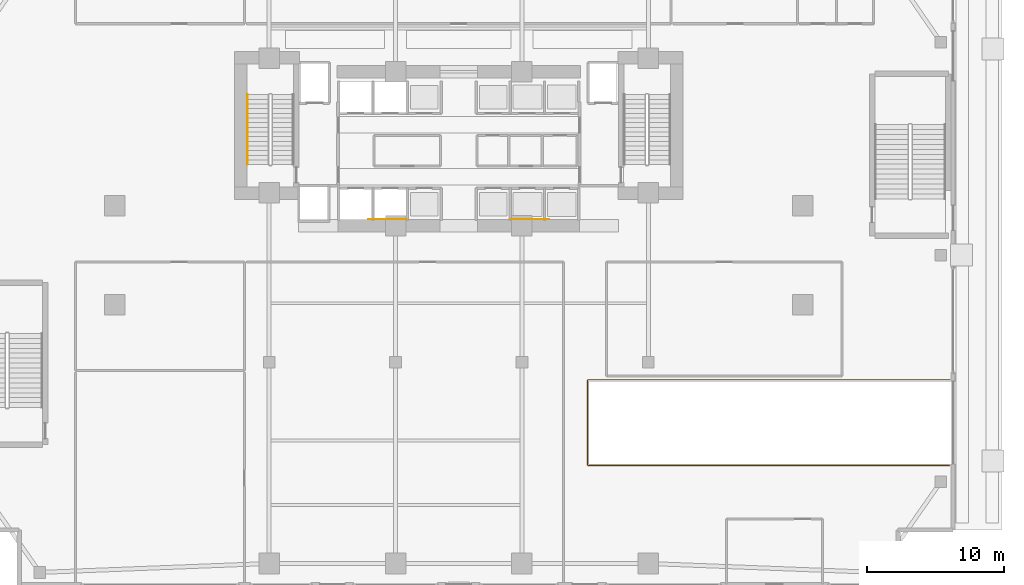
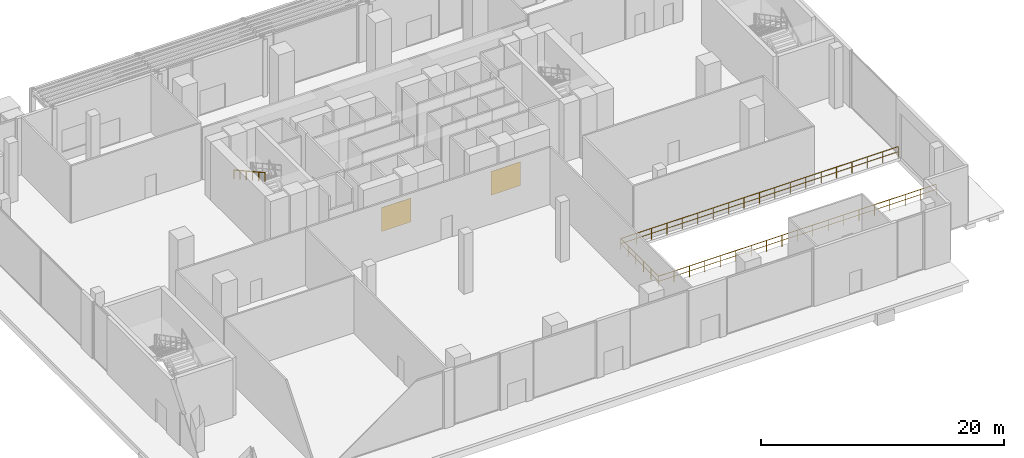
# One storey, part 34 of 39: 2 coverings, 2 railings.
"""IFC4 building model written with IfcOpenShell, lengths in metres."""

from ifc_helpers import new_model, si_unit, direction, frame, origin, origin_2d, place, context, subcontext, project, spatial, rectangle, extrude, material, layer, layer_set, type_object, element, save


model = new_model("IFC4")

# Units and contexts
model_context = context("Model", 3, precision=1e-05, world=origin(), true_north=direction((0.0, 1.0)))
body_context = subcontext(model_context, "Body", "Model", "MODEL_VIEW")
ifc_project = project(units=[si_unit("LENGTHUNIT", "METRE"), si_unit("AREAUNIT", "SQUARE_METRE"), si_unit("VOLUMEUNIT", "CUBIC_METRE"), si_unit("PLANEANGLEUNIT", "RADIAN"), si_unit("MASSUNIT", "GRAM", prefix="KILO")], contexts=[model_context])

# Site, building, storey
site_placement = place(None, origin())
site = spatial("IfcSite", under=ifc_project, at=site_placement, CompositionType="ELEMENT")
building_placement = place(site_placement, origin())
building = spatial("IfcBuilding", under=site, at=building_placement, Name="Zuhayl Quay Hotel", CompositionType="ELEMENT")
storey_placement = place(building_placement, origin())
storey = spatial("IfcBuildingStorey", under=building, at=storey_placement, Name="L00", CompositionType="ELEMENT", Elevation=0.0)

# Coverings
ifc_material_1 = material(Name="Acoustic Walnut Feature Timber", Category="wood")
ifc_layer = layer(ifc_material_1, 0.02197265625, Name="Acoustic Walnut Feature Timber", Category="wood")
ifc_layer_set = layer_set([ifc_layer], Name="Acoustic Walnut Feature Timber")
covering_type = type_object("IfcCoveringType", Name="CV_WALL_CLAD", PredefinedType="CLADDING", material=ifc_layer_set)
for number, where, z_axis, x_axis, name in (
    (1, (-5.199951171875, 2.611083984375, 0.300048828125), (0.0, 0.0, 1.0), (1.0, 0.0, 0.0), "L00 Feature Lobby Walnut Wall Cladding W"),
    (2, (5.199951171875, 2.611083984375, 0.300048828125), (0.0, 0.0, 1.0), (1.0, 0.0, 0.0), "L00 Feature Lobby Walnut Wall Cladding E"),
):
    element("IfcCovering", number, at=place(storey_placement, frame(where, z_axis=z_axis, x_axis=x_axis)), inside=storey, type_object=covering_type, Name=name, PredefinedType="CLADDING", context=body_context, shape_type="SweptSolid", body=[
        extrude(rectangle(XDim=2.800048828125, YDim=0.02197265625, at=origin_2d()), origin(), (0.0, 0.0, 1.0), 2.39990234375),
    ])

# Railings
ifc_material_2 = material(Name="Steel ASTM A992 Grade 50", Category="steel")
railing_type_1 = type_object("IfcRailingType", Name="RL_GUARD_1100", PredefinedType="GUARDRAIL", material=ifc_material_2)
railing_1_placement = place(storey_placement, frame((35.75, -9.080078125, 0.0)))
element("IfcRailing", 3, at=railing_1_placement, inside=storey, type_object=railing_type_1, Name="L00 Vehicle Ramp Opening Safety Guard SG_RAMP_WELL_L00_ARR", PredefinedType="GUARDRAIL", context=body_context, shape_type="SweptSolid", body=[
    extrude(rectangle(XDim=0.048095703125, YDim=0.048095703125, at=origin_2d()), frame((0.0, 0.0, 1.09619140625), z_axis=(-1.0, 0.0, 0.0), x_axis=(0.0, -1.0, 0.0)), (0.0, 0.0, 1.0), 26.3701171875),
    extrude(rectangle(XDim=0.0361328125, YDim=0.0361328125, at=origin_2d()), frame((0.0, 0.0, 0.58251953125), z_axis=(-1.0, 0.0, 0.0), x_axis=(0.0, -1.0, 0.0)), (0.0, 0.0, 1.0), 26.3701171875),
    extrude(rectangle(XDim=0.048095703125, YDim=0.048095703125, at=origin_2d()), frame((-26.3701171875, 0.0, 1.09619140625), z_axis=(0.0, -1.0, 0.0), x_axis=(1.0, 0.0, 0.0)), (0.0, 0.0, 1.0), 6.239990234375),
    extrude(rectangle(XDim=0.0361328125, YDim=0.0361328125, at=origin_2d()), frame((-26.3701171875, 0.0, 0.58251953125), z_axis=(0.0, -1.0, 0.0), x_axis=(1.0, 0.0, 0.0)), (0.0, 0.0, 1.0), 6.239990234375),
    extrude(rectangle(XDim=0.048095703125, YDim=0.048095703125, at=origin_2d()), frame((-26.3701171875, -6.239990234375, 1.09619140625), z_axis=(1.0, 0.0, 0.0), x_axis=(0.0, 1.0, 0.0)), (0.0, 0.0, 1.0), 26.3701171875),
    extrude(rectangle(XDim=0.0361328125, YDim=0.0361328125, at=origin_2d()), frame((-26.3701171875, -6.239990234375, 0.58251953125), z_axis=(1.0, 0.0, 0.0), x_axis=(0.0, 1.0, 0.0)), (0.0, 0.0, 1.0), 26.3701171875),
    extrude(rectangle(XDim=0.0419921875, YDim=0.0419921875, at=origin_2d()), origin(), (0.0, 0.0, 1.0), 1.072021484375),
    extrude(rectangle(XDim=0.0419921875, YDim=0.0419921875, at=origin_2d()), frame((-1.465087890625, 0.0, 0.0)), (0.0, 0.0, 1.0), 1.072021484375),
    extrude(rectangle(XDim=0.0419921875, YDim=0.0419921875, at=origin_2d()), frame((-2.929931640625, 0.0, 0.0)), (0.0, 0.0, 1.0), 1.072021484375),
    extrude(rectangle(XDim=0.0419921875, YDim=0.0419921875, at=origin_2d()), frame((-4.39501953125, 0.0, 0.0)), (0.0, 0.0, 1.0), 1.072021484375),
    extrude(rectangle(XDim=0.0419921875, YDim=0.0419921875, at=origin_2d()), frame((-5.860107421875, 0.0, 0.0)), (0.0, 0.0, 1.0), 1.072021484375),
    extrude(rectangle(XDim=0.0419921875, YDim=0.0419921875, at=origin_2d()), frame((-7.324951171875, 0.0, 0.0)), (0.0, 0.0, 1.0), 1.072021484375),
    extrude(rectangle(XDim=0.0419921875, YDim=0.0419921875, at=origin_2d()), frame((-8.7900390625, 0.0, 0.0)), (0.0, 0.0, 1.0), 1.072021484375),
    extrude(rectangle(XDim=0.0419921875, YDim=0.0419921875, at=origin_2d()), frame((-10.255126953125, 0.0, 0.0)), (0.0, 0.0, 1.0), 1.072021484375),
    extrude(rectangle(XDim=0.0419921875, YDim=0.0419921875, at=origin_2d()), frame((-11.719970703125, 0.0, 0.0)), (0.0, 0.0, 1.0), 1.072021484375),
    extrude(rectangle(XDim=0.0419921875, YDim=0.0419921875, at=origin_2d()), frame((-13.18505859375, 0.0, 0.0)), (0.0, 0.0, 1.0), 1.072021484375),
    extrude(rectangle(XDim=0.0419921875, YDim=0.0419921875, at=origin_2d()), frame((-14.650146484375, 0.0, 0.0)), (0.0, 0.0, 1.0), 1.072021484375),
    extrude(rectangle(XDim=0.0419921875, YDim=0.0419921875, at=origin_2d()), frame((-16.114990234375, 0.0, 0.0)), (0.0, 0.0, 1.0), 1.072021484375),
    extrude(rectangle(XDim=0.0419921875, YDim=0.0419921875, at=origin_2d()), frame((-17.580078125, 0.0, 0.0)), (0.0, 0.0, 1.0), 1.072021484375),
    extrude(rectangle(XDim=0.0419921875, YDim=0.0419921875, at=origin_2d()), frame((-19.045166015625, 0.0, 0.0)), (0.0, 0.0, 1.0), 1.072021484375),
    extrude(rectangle(XDim=0.0419921875, YDim=0.0419921875, at=origin_2d()), frame((-20.510009765625, 0.0, 0.0)), (0.0, 0.0, 1.0), 1.072021484375),
    extrude(rectangle(XDim=0.0419921875, YDim=0.0419921875, at=origin_2d()), frame((-21.97509765625, 0.0, 0.0)), (0.0, 0.0, 1.0), 1.072021484375),
    extrude(rectangle(XDim=0.0419921875, YDim=0.0419921875, at=origin_2d()), frame((-23.440185546875, 0.0, 0.0)), (0.0, 0.0, 1.0), 1.072021484375),
    extrude(rectangle(XDim=0.0419921875, YDim=0.0419921875, at=origin_2d()), frame((-24.905029296875, 0.0, 0.0)), (0.0, 0.0, 1.0), 1.072021484375),
    extrude(rectangle(XDim=0.0419921875, YDim=0.0419921875, at=origin_2d()), frame((-26.3701171875, 0.0, 0.0)), (0.0, 0.0, 1.0), 1.072021484375),
    extrude(rectangle(XDim=0.0419921875, YDim=0.0419921875, at=origin_2d()), frame((-26.3701171875, -1.248046875, 0.0)), (0.0, 0.0, 1.0), 1.072021484375),
    extrude(rectangle(XDim=0.0419921875, YDim=0.0419921875, at=origin_2d()), frame((-26.3701171875, -2.49609375, 0.0)), (0.0, 0.0, 1.0), 1.072021484375),
    extrude(rectangle(XDim=0.0419921875, YDim=0.0419921875, at=origin_2d()), frame((-26.3701171875, -3.743896484375, 0.0)), (0.0, 0.0, 1.0), 1.072021484375),
    extrude(rectangle(XDim=0.0419921875, YDim=0.0419921875, at=origin_2d()), frame((-26.3701171875, -4.991943359375, 0.0)), (0.0, 0.0, 1.0), 1.072021484375),
    extrude(rectangle(XDim=0.0419921875, YDim=0.0419921875, at=origin_2d()), frame((-26.3701171875, -6.239990234375, 0.0)), (0.0, 0.0, 1.0), 1.072021484375),
    extrude(rectangle(XDim=0.0419921875, YDim=0.0419921875, at=origin_2d()), frame((-24.905029296875, -6.239990234375, 0.0)), (0.0, 0.0, 1.0), 1.072021484375),
    extrude(rectangle(XDim=0.0419921875, YDim=0.0419921875, at=origin_2d()), frame((-23.440185546875, -6.239990234375, 0.0)), (0.0, 0.0, 1.0), 1.072021484375),
    extrude(rectangle(XDim=0.0419921875, YDim=0.0419921875, at=origin_2d()), frame((-21.97509765625, -6.239990234375, 0.0)), (0.0, 0.0, 1.0), 1.072021484375),
    extrude(rectangle(XDim=0.0419921875, YDim=0.0419921875, at=origin_2d()), frame((-20.510009765625, -6.239990234375, 0.0)), (0.0, 0.0, 1.0), 1.072021484375),
    extrude(rectangle(XDim=0.0419921875, YDim=0.0419921875, at=origin_2d()), frame((-19.045166015625, -6.239990234375, 0.0)), (0.0, 0.0, 1.0), 1.072021484375),
    extrude(rectangle(XDim=0.0419921875, YDim=0.0419921875, at=origin_2d()), frame((-17.580078125, -6.239990234375, 0.0)), (0.0, 0.0, 1.0), 1.072021484375),
    extrude(rectangle(XDim=0.0419921875, YDim=0.0419921875, at=origin_2d()), frame((-16.114990234375, -6.239990234375, 0.0)), (0.0, 0.0, 1.0), 1.072021484375),
    extrude(rectangle(XDim=0.0419921875, YDim=0.0419921875, at=origin_2d()), frame((-14.650146484375, -6.239990234375, 0.0)), (0.0, 0.0, 1.0), 1.072021484375),
    extrude(rectangle(XDim=0.0419921875, YDim=0.0419921875, at=origin_2d()), frame((-13.18505859375, -6.239990234375, 0.0)), (0.0, 0.0, 1.0), 1.072021484375),
    extrude(rectangle(XDim=0.0419921875, YDim=0.0419921875, at=origin_2d()), frame((-11.719970703125, -6.239990234375, 0.0)), (0.0, 0.0, 1.0), 1.072021484375),
    extrude(rectangle(XDim=0.0419921875, YDim=0.0419921875, at=origin_2d()), frame((-10.255126953125, -6.239990234375, 0.0)), (0.0, 0.0, 1.0), 1.072021484375),
    extrude(rectangle(XDim=0.0419921875, YDim=0.0419921875, at=origin_2d()), frame((-8.7900390625, -6.239990234375, 0.0)), (0.0, 0.0, 1.0), 1.072021484375),
    extrude(rectangle(XDim=0.0419921875, YDim=0.0419921875, at=origin_2d()), frame((-7.324951171875, -6.239990234375, 0.0)), (0.0, 0.0, 1.0), 1.072021484375),
    extrude(rectangle(XDim=0.0419921875, YDim=0.0419921875, at=origin_2d()), frame((-5.860107421875, -6.239990234375, 0.0)), (0.0, 0.0, 1.0), 1.072021484375),
    extrude(rectangle(XDim=0.0419921875, YDim=0.0419921875, at=origin_2d()), frame((-4.39501953125, -6.239990234375, 0.0)), (0.0, 0.0, 1.0), 1.072021484375),
    extrude(rectangle(XDim=0.0419921875, YDim=0.0419921875, at=origin_2d()), frame((-2.929931640625, -6.239990234375, 0.0)), (0.0, 0.0, 1.0), 1.072021484375),
    extrude(rectangle(XDim=0.0419921875, YDim=0.0419921875, at=origin_2d()), frame((-1.465087890625, -6.239990234375, 0.0)), (0.0, 0.0, 1.0), 1.072021484375),
    extrude(rectangle(XDim=0.0419921875, YDim=0.0419921875, at=origin_2d()), frame((0.0, -6.239990234375, 0.0)), (0.0, 0.0, 1.0), 1.072021484375),
])
railing_type_2 = type_object("IfcRailingType", Name="RL_HANDRAIL_920", PredefinedType="HANDRAIL", material=ifc_material_2)
railing_2_placement = place(storey_placement, frame((-15.3798828125, 11.68994140625, 3.1875)))
element("IfcRailing", 4, at=railing_2_placement, inside=storey, type_object=railing_type_2, Name="L00 ST1 stair handrail 2", PredefinedType="HANDRAIL", context=body_context, shape_type="SweptSolid", body=[
    extrude(rectangle(XDim=0.048095703125, YDim=0.048095703125, at=origin_2d()), frame((0.0, 0.0, 0.8759765625), z_axis=(0.0, -0.875665712831, 0.482917756322), x_axis=(1.0, 0.0, 0.0)), (0.0, 0.0, 1.0), 5.823974609375),
    extrude(rectangle(XDim=0.0419921875, YDim=0.0419921875, at=origin_2d()), origin(), (0.0, 0.0, 1.0), 0.851806640625),
    extrude(rectangle(XDim=0.0419921875, YDim=0.0419921875, at=origin_2d()), frame((0.0, -1.02001953125, 0.5625)), (0.0, 0.0, 1.0), 0.851806640625),
    extrude(rectangle(XDim=0.0419921875, YDim=0.0419921875, at=origin_2d()), frame((0.0, -2.0400390625, 1.125)), (0.0, 0.0, 1.0), 0.851806640625),
    extrude(rectangle(XDim=0.0419921875, YDim=0.0419921875, at=origin_2d()), frame((0.0, -3.059814453125, 1.6875)), (0.0, 0.0, 1.0), 0.851806640625),
    extrude(rectangle(XDim=0.0419921875, YDim=0.0419921875, at=origin_2d()), frame((0.0, -4.079833984375, 2.25)), (0.0, 0.0, 1.0), 0.851806640625),
    extrude(rectangle(XDim=0.0419921875, YDim=0.0419921875, at=origin_2d()), frame((0.0, -5.099853515625, 2.8125)), (0.0, 0.0, 1.0), 0.851806640625),
])

save(model, "model.ifc")
